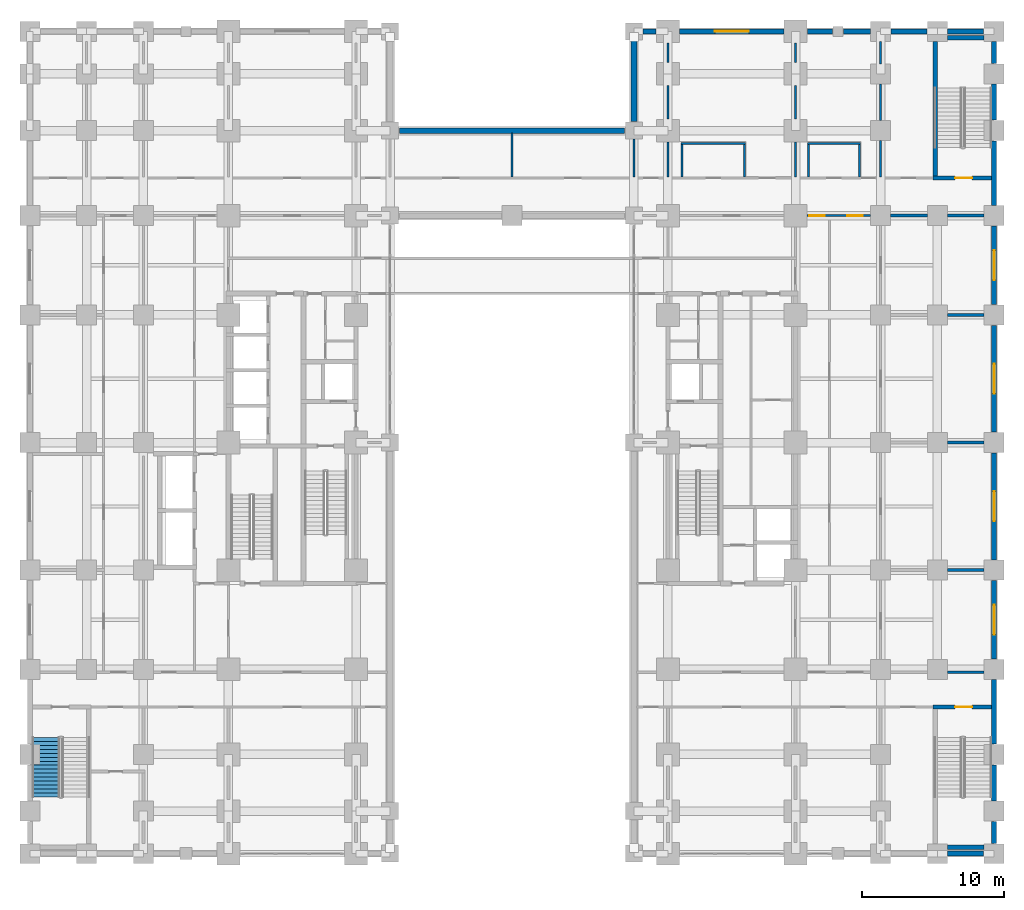
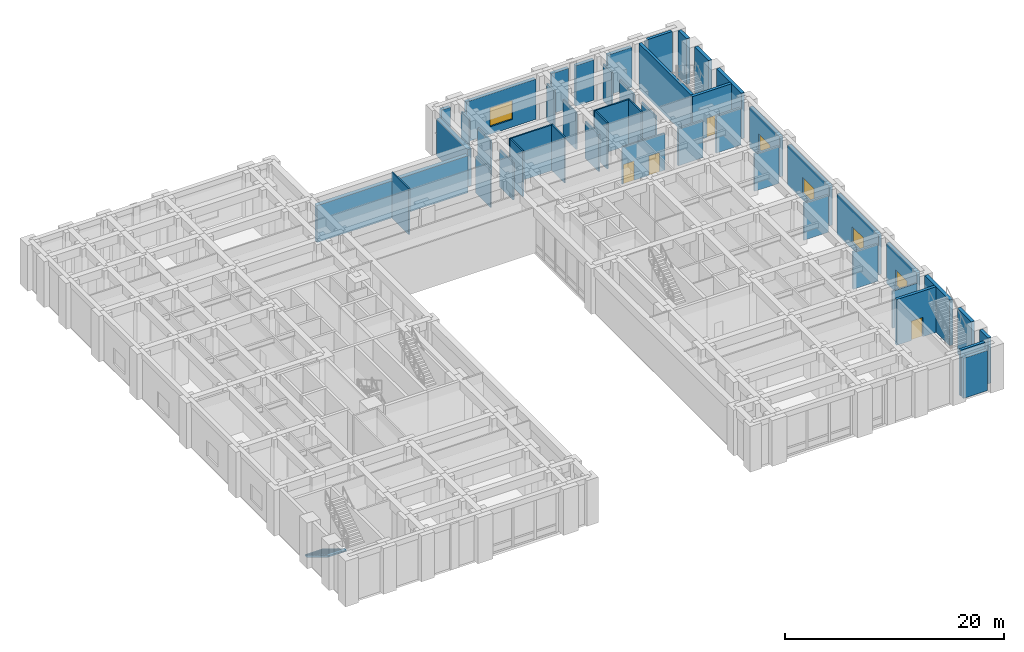
# One storey, part 14 of 21: 48 walls, 5 windows, 4 doors, 1 stair flight, 9 openings, 1 element without a shape of its own.
"""IFC4 building model written with IfcOpenShell, lengths in metres."""

import ifcopenshell
import ifcopenshell.guid

model = None  # the IFC model being written
_history = None  # IfcOwnerHistory: only IFC2X3 demands one
_inside = {}  # id of a spatial element -> (the spatial element, [elements in it])
_under = {}  # id of a project, library or spatial element -> (it, [spatial elements below it])
_declared = {}  # id of a project -> (the project, [libraries it declares])
_typed = {}  # id of a type object -> (the type object, [elements of that type])
_made_of = {}  # id of a material, layer set ... -> (it, [elements and type objects made of it])


def new_model(schema):
    """Start an empty IFC model of exactly this schema.

    Asked for "IFC4X3", IfcOpenShell would pick the latest addendum, in which some entities
    have other attributes; the version numbers below select the first issue.
    IFC2X3 requires an IfcOwnerHistory on every rooted entity: one is made here for all.
    """
    global model, _history
    if schema == "IFC4X3":
        model = ifcopenshell.file(schema_version=(4, 3, 0, 0))
    else:
        model = ifcopenshell.file(schema=schema)
    _inside.clear()
    _under.clear()
    _declared.clear()
    _typed.clear()
    _made_of.clear()
    _history = None
    if model.schema == "IFC2X3":
        org = make("IfcOrganization", Name="unknown")
        user = make(
            "IfcPersonAndOrganization",
            ThePerson=make("IfcPerson", FamilyName="unknown"),
            TheOrganization=org,
        )
        app = make(
            "IfcApplication",
            ApplicationDeveloper=org,
            Version="unknown",
            ApplicationFullName="unknown",
            ApplicationIdentifier="unknown",
        )
        _history = make(
            "IfcOwnerHistory",
            OwningUser=user,
            OwningApplication=app,
            ChangeAction="ADDED",
            CreationDate=0,
        )
    return model


def make(cls, **values):
    """One entity of the class cls with the attributes given. An attribute that is None is left unset."""
    return model.create_entity(
        cls, **{name: value for name, value in values.items() if value is not None}
    )


def rooted(cls, **values):
    """An entity with a GlobalId (a new one), such as an element, a storey or a relation."""
    return make(cls, GlobalId=ifcopenshell.guid.new(), OwnerHistory=_history, **values)


def si_unit(unit_type, name, prefix=None):
    """IfcSIUnit, for example si_unit("LENGTHUNIT", "METRE", prefix="MILLI")."""
    return make("IfcSIUnit", UnitType=unit_type, Prefix=prefix, Name=name)


def assignment(units):
    """IfcUnitAssignment: the units of a project."""
    return None if units is None else make("IfcUnitAssignment", Units=units)


def point(xyz):
    """IfcCartesianPoint."""
    return None if xyz is None else make("IfcCartesianPoint", Coordinates=xyz)


def direction(xyz):
    """IfcDirection."""
    return None if xyz is None else make("IfcDirection", DirectionRatios=xyz)


def frame(location, z_axis=None, x_axis=None):
    """IfcAxis2Placement3D, a coordinate frame: its origin and axes. An axis left out is left unset."""
    return make(
        "IfcAxis2Placement3D",
        Location=point(location),
        Axis=direction(z_axis),
        RefDirection=direction(x_axis),
    )


def frame_2d(location, x_axis=None):
    """IfcAxis2Placement2D, a coordinate frame in the plane: its origin and x axis."""
    return make(
        "IfcAxis2Placement2D", Location=point(location), RefDirection=direction(x_axis)
    )


def origin():
    """The frame at (0, 0, 0) with its axes left unset."""
    return frame((0.0, 0.0, 0.0))


def place(relative_to, where):
    """IfcLocalPlacement: puts the frame where relative to a parent placement (None: the world)."""
    return make(
        "IfcLocalPlacement", PlacementRelTo=relative_to, RelativePlacement=where
    )


def context(
    kind, dimensions, precision=None, world=None, true_north=None, identifier=None
):
    """IfcGeometricRepresentationContext, for example the 3D "Model" context."""
    return make(
        "IfcGeometricRepresentationContext",
        ContextIdentifier=identifier,
        ContextType=kind,
        CoordinateSpaceDimension=dimensions,
        Precision=precision,
        WorldCoordinateSystem=world,
        TrueNorth=true_north,
    )


def subcontext(parent, identifier, kind, view, scale=None):
    """IfcGeometricRepresentationSubContext, for example "Body" below "Model"."""
    return make(
        "IfcGeometricRepresentationSubContext",
        ContextIdentifier=identifier,
        ContextType=kind,
        ParentContext=parent,
        TargetScale=scale,
        TargetView=view,
    )


def project(units=None, contexts=None):
    """IfcProject with its units and contexts."""
    return rooted(
        "IfcProject",
        Name="project",
        RepresentationContexts=contexts,
        UnitsInContext=assignment(units),
    )


def spatial(cls, under=None, at=None, **own):
    """A site, building, storey or space (cls), placed at a placement, below another one or the project."""
    s = rooted(cls, ObjectPlacement=at, **own)
    if under is not None:
        _under.setdefault(under.id(), (under, []))[1].append(s)
    return s


def polyline(points):
    """IfcPolyline through the points."""
    return make("IfcPolyline", Points=[point(p) for p in points])


def profile(cls, at=None, kind="AREA", **sizes):
    """A parametric profile (cls). Its sizes go by their IFC names, for example OverallWidth=200.0."""
    return make(cls, ProfileType=kind, Position=at, **sizes)


def rectangle(**sizes):
    """IfcRectangleProfileDef."""
    return profile("IfcRectangleProfileDef", **sizes)


def outline(outer, holes=None, kind="AREA"):
    """IfcArbitraryClosedProfileDef: a profile drawn as a closed curve; with holes, ...WithVoids."""
    if holes is None:
        return make("IfcArbitraryClosedProfileDef", ProfileType=kind, OuterCurve=outer)
    return make(
        "IfcArbitraryProfileDefWithVoids",
        ProfileType=kind,
        OuterCurve=outer,
        InnerCurves=holes,
    )


def extrude(swept, where, along, depth):
    """IfcExtrudedAreaSolid: the profile swept, set in the frame where, extruded along a direction by depth."""
    return make(
        "IfcExtrudedAreaSolid",
        SweptArea=swept,
        Position=where,
        ExtrudedDirection=direction(along),
        Depth=depth,
    )


def shape(context_of_items, identifier, shape_type, items):
    """IfcShapeRepresentation: the items that make up one representation, for example the "Body"."""
    return make(
        "IfcShapeRepresentation",
        ContextOfItems=context_of_items,
        RepresentationIdentifier=identifier,
        RepresentationType=shape_type,
        Items=items,
    )


def material(Name=None, Category=None):
    """IfcMaterial."""
    return make("IfcMaterial", Name=Name, Category=Category)


def layer(
    of_material, thickness, ventilated=None, Name=None, Category=None, Priority=None
):
    """IfcMaterialLayer: one layer of a wall or slab, of a material (None: an air gap)."""
    return make(
        "IfcMaterialLayer",
        Material=of_material,
        LayerThickness=thickness,
        IsVentilated=ventilated,
        Name=Name,
        Category=Category,
        Priority=Priority,
    )


def layer_set(layers, Name=None):
    """IfcMaterialLayerSet."""
    return make("IfcMaterialLayerSet", MaterialLayers=layers, LayerSetName=Name)


def made_of(thing, what):
    """Note that an element or type object is made of a material, layer set ...; save() writes the relation."""
    if what is not None:
        _made_of.setdefault(what.id(), (what, []))[1].append(thing)
    return thing


def type_object(cls, material=None, **own):
    """A type object (cls), such as IfcWallType, which elements share."""
    return made_of(rooted(cls, **own), material)


def element(
    cls,
    number,
    at=None,
    inside=None,
    cuts=None,
    type_object=None,
    material=None,
    context=None,
    identifier="Body",
    shape_type=None,
    held_by="IfcProductDefinitionShape",
    body=None,
    shapes=None,
    **own,
):
    """One element of the class cls, such as IfcWall. Its Tag is "e" and its number.

    at: its placement. inside: the storey or other place that contains it. cuts: it is an
    opening in that element (IfcRelVoidsElement). A single representation is given by context,
    identifier, shape_type and body (its items); several are given by shapes. held_by: the class
    of the entity that holds the representations. save() writes the other relations.
    """
    e = rooted(cls, Tag="e%d" % number, ObjectPlacement=at, **own)
    if body is not None:
        shapes = [shape(context, identifier, shape_type, body)]
    if shapes is not None:
        e.Representation = make(held_by, Representations=shapes)
    if inside is not None:
        _inside.setdefault(inside.id(), (inside, []))[1].append(e)
    if cuts is not None:
        rooted(
            "IfcRelVoidsElement", RelatingBuildingElement=cuts, RelatedOpeningElement=e
        )
    if type_object is not None:
        _typed.setdefault(type_object.id(), (type_object, []))[1].append(e)
    return made_of(e, material)


def fill(opening, filler):
    """IfcRelFillsElement: the door or window that sits in an opening."""
    return rooted(
        "IfcRelFillsElement",
        RelatingOpeningElement=opening,
        RelatedBuildingElement=filler,
    )


def aggregate(whole, parts):
    """IfcRelAggregates: a whole, such as a stair, and the parts it consists of."""
    return rooted("IfcRelAggregates", RelatingObject=whole, RelatedObjects=parts)


def save(model, path):
    """Write the relations noted so far, then the file.

    IfcRelAggregates (storeys below a building ...), IfcRelContainedInSpatialStructure (elements
    in a storey), IfcRelDefinesByType, IfcRelAssociatesMaterial and IfcRelDeclares: one each for
    every whole, place, type object, material and project.
    """
    for whole, parts in _under.values():
        aggregate(whole, parts)
    for where, things in _inside.values():
        rooted(
            "IfcRelContainedInSpatialStructure",
            RelatedElements=things,
            RelatingStructure=where,
        )
    for kind, things in _typed.values():
        rooted("IfcRelDefinesByType", RelatedObjects=things, RelatingType=kind)
    for what, things in _made_of.values():
        rooted("IfcRelAssociatesMaterial", RelatedObjects=things, RelatingMaterial=what)
    for by, libraries in _declared.values():
        rooted("IfcRelDeclares", RelatingContext=by, RelatedDefinitions=libraries)
    model.write(path)


model = new_model("IFC4")

# Units and contexts
model_context = context("Model", 3, precision=1e-05, world=origin(), true_north=direction((0.0, 1.0)))
body_context = subcontext(model_context, "Body", "Model", "MODEL_VIEW")
ifc_project = project(units=[si_unit("LENGTHUNIT", "METRE"), si_unit("AREAUNIT", "SQUARE_METRE"), si_unit("VOLUMEUNIT", "CUBIC_METRE"), si_unit("PLANEANGLEUNIT", "RADIAN"), si_unit("MASSUNIT", "GRAM", prefix="KILO")], contexts=[model_context])

# Site, building, storey
site_placement = place(None, origin())
site = spatial("IfcSite", under=ifc_project, at=site_placement, CompositionType="ELEMENT")
building_placement = place(site_placement, origin())
building = spatial("IfcBuilding", under=site, at=building_placement, Name="Zulmaris Gate Convention Tower", CompositionType="ELEMENT")
storey_placement = place(building_placement, frame((0.0, 0.0, 5.43994140625)))
storey = spatial("IfcBuildingStorey", under=building, at=storey_placement, Name="L01", CompositionType="ELEMENT", Elevation=5.43994140625)

# Wall
ifc_material_1 = material(Name="Concrete C50/60", Category="concrete")
ifc_layer_1 = layer(ifc_material_1, 0.300048828125, Name="Concrete C50/60")
ifc_layer_set_1 = layer_set([ifc_layer_1], Name="Concrete C50/60")
wall_type_1 = type_object("IfcWallType", Name="CORE-300", PredefinedType="SHEAR", material=ifc_layer_set_1)
wall_1_placement = place(storey_placement, frame((30.7041015625, -28.550048828125, 0.0), z_axis=(0.0, 0.0, 1.0), x_axis=(1.0, 0.0, 0.0)))
element("IfcWall", 1, at=wall_1_placement, inside=storey, type_object=wall_type_1, Name="WL-L01-002", PredefinedType="SHEAR", context=body_context, shape_type="SweptSolid", body=[
    extrude(rectangle(XDim=2.591796875, YDim=0.300048828125, at=frame_2d((1.2958984375, 0.0))), origin(), (0.0, 0.0, 1.0), 5.08984375),
])

# Wall, opening, door
wall_2_placement = place(storey_placement, frame((29.699951171875, -18.64990234375, 0.0), z_axis=(0.0, 0.0, 1.0), x_axis=(1.0, 0.0, 0.0)))
wall_2 = element("IfcWall", 2, at=wall_2_placement, inside=storey, type_object=wall_type_1, Name="WL-L01-004", PredefinedType="SHEAR", context=body_context, shape_type="SweptSolid", body=[
    extrude(rectangle(XDim=4.135009765625, YDim=0.300048828125, at=frame_2d((2.0673828125, 0.0))), origin(), (0.0, 0.0, 1.0), 5.08984375),
])
opening_1_placement = place(wall_2_placement, frame((1.550048828125, 0.0, 0.0)))
opening_1 = element("IfcOpeningElement", 3, at=opening_1_placement, cuts=wall_2, Name="Opening D-13", PredefinedType="OPENING", context=body_context, shape_type="SweptSolid", body=[
    extrude(rectangle(XDim=1.199951171875, YDim=2.14990234375, at=frame_2d((0.60009765625, 1.074951171875))), frame((0.0, 0.16015625, 0.0), z_axis=(0.0, -1.0, 0.0), x_axis=(1.0, 0.0, 0.0)), (0.0, 0.0, 1.0), 0.320068359375),
])
ifc_material_2 = material(Name="Fire-Rated Steel", Category="steel")
door_type_1 = type_object("IfcDoorType", Name="DR-1200-FD", OperationType="NOTDEFINED", PredefinedType="DOOR", material=ifc_material_2)
door_1_placement = place(opening_1_placement, origin())
door_1 = element("IfcDoor", 4, at=door_1_placement, inside=storey, type_object=door_type_1, Name="L01 Exit Stair ST-6 Door 29", OperationType="SINGLE_SWING_LEFT", OverallHeight=2.14990234375, OverallWidth=1.199951171875, PredefinedType="DOOR", context=body_context, shape_type="SweptSolid", body=[
    extrude(rectangle(XDim=1.199951171875, YDim=2.14990234375, at=frame_2d((0.60009765625, 1.074951171875))), frame((0.0, 0.02490234375, 0.0), z_axis=(0.0, -1.0, 0.0), x_axis=(1.0, 0.0, 0.0)), (0.0, 0.0, 1.0), 0.050048828125),
])
fill(opening_1, door_1)

wall_3_placement = place(storey_placement, frame((29.699951171875, 18.64990234375, 0.0), z_axis=(0.0, 0.0, 1.0), x_axis=(1.0, 0.0, 0.0)))
wall_3 = element("IfcWall", 5, at=wall_3_placement, inside=storey, type_object=wall_type_1, Name="WL-L01-027", PredefinedType="SHEAR", context=body_context, shape_type="SweptSolid", body=[
    extrude(rectangle(XDim=4.135009765625, YDim=0.300048828125, at=frame_2d((2.0673828125, 0.0))), origin(), (0.0, 0.0, 1.0), 5.08984375),
])
opening_2_placement = place(wall_3_placement, frame((1.550048828125, 0.0, 0.0)))
opening_2 = element("IfcOpeningElement", 6, at=opening_2_placement, cuts=wall_3, Name="Opening D-13", PredefinedType="OPENING", context=body_context, shape_type="SweptSolid", body=[
    extrude(rectangle(XDim=1.199951171875, YDim=2.14990234375, at=frame_2d((0.60009765625, 1.074951171875))), frame((0.0, 0.16015625, 0.0), z_axis=(0.0, -1.0, 0.0), x_axis=(1.0, 0.0, 0.0)), (0.0, 0.0, 1.0), 0.320068359375),
])
door_2_placement = place(opening_2_placement, origin())
door_2 = element("IfcDoor", 7, at=door_2_placement, inside=storey, type_object=door_type_1, Name="L01 Exit Stair ST-5 Door 28", OperationType="SINGLE_SWING_RIGHT", OverallHeight=2.14990234375, OverallWidth=1.199951171875, PredefinedType="DOOR", context=body_context, shape_type="SweptSolid", body=[
    extrude(rectangle(XDim=1.199951171875, YDim=2.14990234375, at=frame_2d((0.60009765625, 1.074951171875))), frame((0.0, 0.02490234375, 0.0), z_axis=(0.0, -1.0, 0.0), x_axis=(1.0, 0.0, 0.0)), (0.0, 0.0, 1.0), 0.050048828125),
])
fill(opening_2, door_2)

# Walls
wall_4_placement = place(storey_placement, frame((30.7041015625, 28.550048828125, 0.0), z_axis=(0.0, 0.0, 1.0), x_axis=(1.0, 0.0, 0.0)))
element("IfcWall", 8, at=wall_4_placement, inside=storey, type_object=wall_type_1, Name="WL-L01-028", PredefinedType="SHEAR", context=body_context, shape_type="SweptSolid", body=[
    extrude(rectangle(XDim=2.591796875, YDim=0.300048828125, at=frame_2d((1.2958984375, 0.0))), origin(), (0.0, 0.0, 1.0), 5.08984375),
])
wall_5_placement = place(storey_placement, frame((29.85009765625, 18.802001953125, 0.0), z_axis=(0.0, 0.0, 1.0), x_axis=(0.0, 1.0, 0.0)))
element("IfcWall", 9, at=wall_5_placement, inside=storey, type_object=wall_type_1, Name="WL-L01-109", PredefinedType="SHEAR", context=body_context, shape_type="SweptSolid", body=[
    extrude(rectangle(XDim=9.493896484375, YDim=0.300048828125, at=frame_2d((4.7470703125, 0.0))), origin(), (0.0, 0.0, 1.0), 5.08984375),
])
ifc_material_3 = material(Name="Gypsum Metal Stud Partition")
ifc_layer_2 = layer(ifc_material_3, 0.14990234375, Name="Gypsum Metal Stud Partition")
ifc_layer_set_2 = layer_set([ifc_layer_2], Name="Gypsum Metal Stud Partition")
wall_type_2 = type_object("IfcWallType", Name="PART-150", PredefinedType="PARTITIONING", material=ifc_layer_set_2)
wall_6_placement = place(storey_placement, frame((30.7060546875, -16.199951171875, 0.0), z_axis=(0.0, 0.0, 1.0), x_axis=(1.0, 0.0, 0.0)))
element("IfcWall", 10, at=wall_6_placement, inside=storey, type_object=wall_type_2, Name="WL-L01-033S4", PredefinedType="PARTITIONING", context=body_context, shape_type="SweptSolid", body=[
    extrude(rectangle(XDim=2.587890625, YDim=0.14990234375, at=frame_2d((1.2939453125, 0.0))), origin(), (0.0, 0.0, 1.0), 4.132080078125),
])

# Wall, openings, doors
wall_7_placement = place(storey_placement, frame((20.805908203125, 16.0, 0.0), z_axis=(0.0, 0.0, 1.0), x_axis=(1.0, 0.0, 0.0)))
wall_7 = element("IfcWall", 11, at=wall_7_placement, inside=storey, type_object=wall_type_2, Name="WL-L01-063", PredefinedType="PARTITIONING", context=body_context, shape_type="SweptSolid", body=[
    extrude(rectangle(XDim=4.488037109375, YDim=0.14990234375, at=frame_2d((2.244140625, 0.0))), origin(), (0.0, 0.0, 1.0), 4.132080078125),
])
opening_3_placement = place(wall_7_placement, frame((0.14990234375, 0.0, 0.0)))
opening_3 = element("IfcOpeningElement", 12, at=opening_3_placement, cuts=wall_7, Name="Opening D-08", PredefinedType="OPENING", context=body_context, shape_type="SweptSolid", body=[
    extrude(rectangle(XDim=1.10009765625, YDim=2.14990234375, at=frame_2d((0.550048828125, 1.074951171875))), frame((0.0, 0.0849609375, 0.0), z_axis=(0.0, -1.0, 0.0), x_axis=(1.0, 0.0, 0.0)), (0.0, 0.0, 1.0), 0.169921875),
])
opening_4_placement = place(wall_7_placement, frame((2.843994140625, 0.0, 0.0)))
opening_4 = element("IfcOpeningElement", 13, at=opening_4_placement, cuts=wall_7, Name="Opening D-08", PredefinedType="OPENING", context=body_context, shape_type="SweptSolid", body=[
    extrude(rectangle(XDim=1.10009765625, YDim=2.14990234375, at=frame_2d((0.550048828125, 1.074951171875))), frame((0.0, 0.0849609375, 0.0), z_axis=(0.0, -1.0, 0.0), x_axis=(1.0, 0.0, 0.0)), (0.0, 0.0, 1.0), 0.169921875),
])
door_type_2 = type_object("IfcDoorType", Name="DR-1100-FD", OperationType="NOTDEFINED", PredefinedType="DOOR", material=ifc_material_2)
door_3_placement = place(opening_3_placement, origin())
door_3 = element("IfcDoor", 14, at=door_3_placement, inside=storey, type_object=door_type_2, Name="L01 East Concourse Link Door 39", OperationType="SINGLE_SWING_LEFT", OverallHeight=2.14990234375, OverallWidth=1.10009765625, PredefinedType="DOOR", context=body_context, shape_type="SweptSolid", body=[
    extrude(rectangle(XDim=1.10009765625, YDim=2.14990234375, at=frame_2d((0.550048828125, 1.074951171875))), frame((0.0, 0.02490234375, 0.0), z_axis=(0.0, -1.0, 0.0), x_axis=(1.0, 0.0, 0.0)), (0.0, 0.0, 1.0), 0.050048828125),
])
fill(opening_3, door_3)
door_4_placement = place(opening_4_placement, origin())
door_4 = element("IfcDoor", 15, at=door_4_placement, inside=storey, type_object=door_type_2, Name="L01 East Promenade Concourse Door 73", OperationType="SINGLE_SWING_LEFT", OverallHeight=2.14990234375, OverallWidth=1.10009765625, PredefinedType="DOOR", context=body_context, shape_type="SweptSolid", body=[
    extrude(rectangle(XDim=1.10009765625, YDim=2.14990234375, at=frame_2d((0.550048828125, 1.074951171875))), frame((0.0, 0.02490234375, 0.0), z_axis=(0.0, -1.0, 0.0), x_axis=(1.0, 0.0, 0.0)), (0.0, 0.0, 1.0), 0.050048828125),
])
fill(opening_4, door_4)

# Walls
wall_8_placement = place(storey_placement, frame((11.925048828125, 21.10009765625, 0.0), z_axis=(0.0, 0.0, 1.0), x_axis=(1.0, 0.0, 0.0)))
element("IfcWall", 16, at=wall_8_placement, inside=storey, type_object=wall_type_2, Name="WL-L01-066", PredefinedType="PARTITIONING", context=body_context, shape_type="SweptSolid", body=[
    extrude(rectangle(XDim=4.550048828125, YDim=0.14990234375, at=frame_2d((2.27490234375, 0.0))), origin(), (0.0, 0.0, 1.0), 5.08984375),
])
wall_9_placement = place(storey_placement, frame((20.824951171875, 21.10009765625, 0.0), z_axis=(0.0, 0.0, 1.0), x_axis=(1.0, 0.0, 0.0)))
element("IfcWall", 17, at=wall_9_placement, inside=storey, type_object=wall_type_2, Name="WL-L01-067", PredefinedType="PARTITIONING", context=body_context, shape_type="SweptSolid", body=[
    extrude(rectangle(XDim=3.75, YDim=0.14990234375, at=frame_2d((1.875, 0.0))), origin(), (0.0, 0.0, 1.0), 5.08984375),
])
wall_10_placement = place(storey_placement, frame((0.0, 18.72802734375, 0.0), z_axis=(0.0, 0.0, 1.0), x_axis=(0.0, 1.0, 0.0)))
element("IfcWall", 18, at=wall_10_placement, inside=storey, type_object=wall_type_2, Name="WL-L01-135", PredefinedType="PARTITIONING", context=body_context, shape_type="SweptSolid", body=[
    extrude(rectangle(XDim=3.10693359375, YDim=0.14990234375, at=frame_2d((1.553466796875, 0.0))), origin(), (0.0, 0.0, 1.0), 5.08984375),
])
wall_11_placement = place(storey_placement, frame((8.60009765625, 18.72802734375, 0.0), z_axis=(0.0, 0.0, 1.0), x_axis=(0.0, 1.0, 0.0)))
element("IfcWall", 19, at=wall_11_placement, inside=storey, type_object=wall_type_2, Name="WL-L01-136", PredefinedType="PARTITIONING", context=body_context, shape_type="SweptSolid", body=[
    extrude(rectangle(XDim=2.666015625, YDim=0.14990234375, at=frame_2d((1.3330078125, 0.0))), origin(), (0.0, 0.0, 1.0), 4.132080078125),
])
wall_12_placement = place(storey_placement, frame((11.0, 18.72802734375, 0.0), z_axis=(0.0, 0.0, 1.0), x_axis=(0.0, 1.0, 0.0)))
element("IfcWall", 20, at=wall_12_placement, inside=storey, type_object=wall_type_2, Name="WL-L01-139", PredefinedType="PARTITIONING", context=body_context, shape_type="SweptSolid", body=[
    extrude(rectangle(XDim=2.466064453125, YDim=0.14990234375, at=frame_2d((1.23291015625, 0.0))), origin(), (0.0, 0.0, 1.0), 4.132080078125),
])
wall_13_placement = place(storey_placement, frame((11.0, 22.805908203125, 0.0), z_axis=(0.0, 0.0, 1.0), x_axis=(0.0, 1.0, 0.0)))
element("IfcWall", 21, at=wall_13_placement, inside=storey, type_object=wall_type_2, Name="WL-L01-139S1", PredefinedType="PARTITIONING", context=body_context, shape_type="SweptSolid", body=[
    extrude(rectangle(XDim=2.38818359375, YDim=0.14990234375, at=frame_2d((1.194091796875, 0.0))), origin(), (0.0, 0.0, 1.0), 4.132080078125),
])
wall_14_placement = place(storey_placement, frame((11.0, 26.805908203125, 0.0), z_axis=(0.0, 0.0, 1.0), x_axis=(0.0, 1.0, 0.0)))
element("IfcWall", 22, at=wall_14_placement, inside=storey, type_object=wall_type_2, Name="WL-L01-139S2", PredefinedType="PARTITIONING", context=body_context, shape_type="SweptSolid", body=[
    extrude(rectangle(XDim=1.38818359375, YDim=0.14990234375, at=frame_2d((0.694091796875, 0.0))), origin(), (0.0, 0.0, 1.0), 4.132080078125),
])
for number, where, z_axis, x_axis, name in (
    (23, (12.0, 18.72802734375, 0.0), (0.0, 0.0, 1.0), (0.0, 1.0, 0.0), "WL-L01-140"),
    (24, (16.39990234375, 18.72802734375, 0.0), (0.0, 0.0, 1.0), (0.0, 1.0, 0.0), "WL-L01-143"),
):
    element("IfcWall", number, at=place(storey_placement, frame(where, z_axis=z_axis, x_axis=x_axis)), inside=storey, type_object=wall_type_2, Name=name, PredefinedType="PARTITIONING", context=body_context, shape_type="SweptSolid", body=[
        extrude(rectangle(XDim=2.2939453125, YDim=0.14990234375, at=frame_2d((1.14697265625, 0.0))), origin(), (0.0, 0.0, 1.0), 5.08984375),
    ])
wall_15_placement = place(storey_placement, frame((20.0, 18.72802734375, 0.0), z_axis=(0.0, 0.0, 1.0), x_axis=(0.0, 1.0, 0.0)))
element("IfcWall", 25, at=wall_15_placement, inside=storey, type_object=wall_type_2, Name="WL-L01-150", PredefinedType="PARTITIONING", context=body_context, shape_type="SweptSolid", body=[
    extrude(rectangle(XDim=2.466064453125, YDim=0.14990234375, at=frame_2d((1.23291015625, 0.0))), origin(), (0.0, 0.0, 1.0), 4.132080078125),
])
wall_16_placement = place(storey_placement, frame((20.0, 22.805908203125, 0.0), z_axis=(0.0, 0.0, 1.0), x_axis=(0.0, 1.0, 0.0)))
element("IfcWall", 26, at=wall_16_placement, inside=storey, type_object=wall_type_2, Name="WL-L01-150S1", PredefinedType="PARTITIONING", context=body_context, shape_type="SweptSolid", body=[
    extrude(rectangle(XDim=2.38818359375, YDim=0.14990234375, at=frame_2d((1.194091796875, 0.0))), origin(), (0.0, 0.0, 1.0), 4.132080078125),
])
wall_17_placement = place(storey_placement, frame((20.0, 26.805908203125, 0.0), z_axis=(0.0, 0.0, 1.0), x_axis=(0.0, 1.0, 0.0)))
element("IfcWall", 27, at=wall_17_placement, inside=storey, type_object=wall_type_2, Name="WL-L01-150S2", PredefinedType="PARTITIONING", context=body_context, shape_type="SweptSolid", body=[
    extrude(rectangle(XDim=1.38818359375, YDim=0.14990234375, at=frame_2d((0.694091796875, 0.0))), origin(), (0.0, 0.0, 1.0), 4.132080078125),
])
for number, where, z_axis, x_axis, name in (
    (28, (20.89990234375, 18.72802734375, 0.0), (0.0, 0.0, 1.0), (0.0, 1.0, 0.0), "WL-L01-151"),
    (29, (24.5, 18.72802734375, 0.0), (0.0, 0.0, 1.0), (0.0, 1.0, 0.0), "WL-L01-153"),
):
    element("IfcWall", number, at=place(storey_placement, frame(where, z_axis=z_axis, x_axis=x_axis)), inside=storey, type_object=wall_type_2, Name=name, PredefinedType="PARTITIONING", context=body_context, shape_type="SweptSolid", body=[
        extrude(rectangle(XDim=2.2939453125, YDim=0.14990234375, at=frame_2d((1.14697265625, 0.0))), origin(), (0.0, 0.0, 1.0), 5.08984375),
    ])
wall_18_placement = place(storey_placement, frame((26.0, 18.72802734375, 0.0), z_axis=(0.0, 0.0, 1.0), x_axis=(0.0, 1.0, 0.0)))
element("IfcWall", 30, at=wall_18_placement, inside=storey, type_object=wall_type_2, Name="WL-L01-159", PredefinedType="PARTITIONING", context=body_context, shape_type="SweptSolid", body=[
    extrude(rectangle(XDim=2.56591796875, YDim=0.14990234375, at=frame_2d((1.282958984375, 0.0))), origin(), (0.0, 0.0, 1.0), 4.132080078125),
])
wall_19_placement = place(storey_placement, frame((26.0, 22.7060546875, 0.0), z_axis=(0.0, 0.0, 1.0), x_axis=(0.0, 1.0, 0.0)))
element("IfcWall", 31, at=wall_19_placement, inside=storey, type_object=wall_type_2, Name="WL-L01-159S1", PredefinedType="PARTITIONING", context=body_context, shape_type="SweptSolid", body=[
    extrude(rectangle(XDim=2.587890625, YDim=0.14990234375, at=frame_2d((1.2939453125, 0.0))), origin(), (0.0, 0.0, 1.0), 4.132080078125),
])
wall_20_placement = place(storey_placement, frame((26.0, 26.7060546875, 0.0), z_axis=(0.0, 0.0, 1.0), x_axis=(0.0, 1.0, 0.0)))
element("IfcWall", 32, at=wall_20_placement, inside=storey, type_object=wall_type_2, Name="WL-L01-159S2", PredefinedType="PARTITIONING", context=body_context, shape_type="SweptSolid", body=[
    extrude(rectangle(XDim=1.587890625, YDim=0.14990234375, at=frame_2d((0.7939453125, 0.0))), origin(), (0.0, 0.0, 1.0), 4.132080078125),
])
ifc_material_4 = material(Name="Autoclaved Aerated Concrete Block and Plasterboard", Category="concrete")
ifc_layer_3 = layer(ifc_material_4, 0.199951171875, Name="Autoclaved Aerated Concrete Block and Plasterboard")
ifc_layer_set_3 = layer_set([ifc_layer_3], Name="Autoclaved Aerated Concrete Block and Plasterboard")
wall_type_3 = type_object("IfcWallType", Name="PART-200", PredefinedType="PARTITIONING", material=ifc_layer_set_3)
for number, where, z_axis, x_axis, name in (
    (33, (30.7060546875, -9.0, 0.0), (0.0, 0.0, 1.0), (1.0, 0.0, 0.0), "WL-L01-038S1"),
    (34, (30.7060546875, 0.0, 0.0), (0.0, 0.0, 1.0), (1.0, 0.0, 0.0), "WL-L01-045S1"),
    (35, (30.7060546875, 9.0, 0.0), (0.0, 0.0, 1.0), (1.0, 0.0, 0.0), "WL-L01-050S1"),
    (36, (26.7060546875, 16.0, 0.0), (0.0, 0.0, 1.0), (1.0, 0.0, 0.0), "WL-L01-064"),
    (37, (30.7060546875, 16.0, 0.0), (0.0, 0.0, 1.0), (1.0, 0.0, 0.0), "WL-L01-064S1"),
):
    element("IfcWall", number, at=place(storey_placement, frame(where, z_axis=z_axis, x_axis=x_axis)), inside=storey, type_object=wall_type_3, Name=name, PredefinedType="PARTITIONING", context=body_context, shape_type="SweptSolid", body=[
        extrude(rectangle(XDim=2.587890625, YDim=0.199951171875, at=frame_2d((1.2939453125, 0.0))), origin(), (0.0, 0.0, 1.0), 4.132080078125),
    ])
ifc_material_5 = material(Name="Precast concrete C50/60", Category="concrete")
ifc_layer_4 = layer(ifc_material_5, 0.39990234375, Name="Precast concrete C50/60")
ifc_layer_set_4 = layer_set([ifc_layer_4], Name="Precast concrete C50/60")
wall_type_4 = type_object("IfcWallType", Name="PRECAST-ARCH-400", PredefinedType="STANDARD", material=ifc_layer_set_4)
wall_21_placement = place(storey_placement, frame((8.60009765625, 28.35009765625, 0.0), z_axis=(0.0, 0.0, 1.0), x_axis=(0.0, -1.0, 0.0)))
element("IfcWall", 38, at=wall_21_placement, inside=storey, type_object=wall_type_4, Name="EW-L01-ARCH-NES_0", PredefinedType="STANDARD", context=body_context, shape_type="SweptSolid", body=[
    extrude(rectangle(XDim=5.72021484375, YDim=0.39990234375, at=frame_2d((2.860107421875, 0.0))), origin(), (0.0, 0.0, 1.0), 4.132080078125),
])
wall_22_placement = place(storey_placement, frame((7.949951171875, 22.0, 0.0), z_axis=(0.0, 0.0, 1.0), x_axis=(-1.0, 0.0, 0.0)))
element("IfcWall", 39, at=wall_22_placement, inside=storey, type_object=wall_type_4, Name="EW-L01-ARCH-NH_0", PredefinedType="STANDARD", context=body_context, shape_type="SweptSolid", body=[
    extrude(rectangle(XDim=15.89990234375, YDim=0.39990234375, at=frame_2d((7.949951171875, 0.0))), origin(), (0.0, 0.0, 1.0), 4.132080078125),
])
ifc_material_6 = material(Name="Precast concrete C45/55", Category="concrete")
ifc_layer_5 = layer(ifc_material_6, 0.35009765625, Name="Precast concrete C45/55")
ifc_layer_set_5 = layer_set([ifc_layer_5], Name="Precast concrete C45/55")
wall_type_5 = type_object("IfcWallType", Name="PRECAST-POD-350", PredefinedType="STANDARD", material=ifc_layer_set_5)
wall_23_placement = place(storey_placement, frame((30.72998046875, -29.0, 0.0), z_axis=(0.0, 0.0, 1.0), x_axis=(1.0, 0.0, 0.0)))
element("IfcWall", 40, at=wall_23_placement, inside=storey, type_object=wall_type_5, Name="EW-L01-S-300_0", PredefinedType="STANDARD", context=body_context, shape_type="SweptSolid", body=[
    extrude(rectangle(XDim=2.5400390625, YDim=0.35009765625, at=frame_2d((1.27001953125, 0.0))), origin(), (0.0, 0.0, 1.0), 4.48193359375),
])
wall_24_placement = place(storey_placement, frame((10.169921875, 29.0, 0.0), z_axis=(0.0, 0.0, 1.0), x_axis=(-1.0, 0.0, 0.0)))
element("IfcWall", 41, at=wall_24_placement, inside=storey, type_object=wall_type_5, Name="EW-L01-N-86_0", PredefinedType="STANDARD", context=body_context, shape_type="SweptSolid", body=[
    extrude(rectangle(XDim=0.93994140625, YDim=0.35009765625, at=frame_2d((0.469970703125, 0.0))), origin(), (0.0, 0.0, 1.0), 4.48193359375),
])

# Wall, opening, window
wall_25_placement = place(storey_placement, frame((19.169921875, 29.0, 0.0), z_axis=(0.0, 0.0, 1.0), x_axis=(-1.0, 0.0, 0.0)))
wall_25 = element("IfcWall", 42, at=wall_25_placement, inside=storey, type_object=wall_type_5, Name="EW-L01-N-110_0", PredefinedType="STANDARD", context=body_context, shape_type="SweptSolid", body=[
    extrude(rectangle(XDim=7.33984375, YDim=0.35009765625, at=frame_2d((3.669921875, 0.0))), origin(), (0.0, 0.0, 1.0), 4.48193359375),
])
opening_5_placement = place(wall_25_placement, frame((2.469970703125, 0.0, 0.85009765625)))
opening_5 = element("IfcOpeningElement", 43, at=opening_5_placement, cuts=wall_25, Name="Opening W-01", PredefinedType="OPENING", context=body_context, shape_type="SweptSolid", body=[
    extrude(rectangle(XDim=2.39990234375, YDim=2.10009765625, at=frame_2d((1.199951171875, 1.050048828125))), frame((0.0, 0.18505859375, 0.0), z_axis=(0.0, -1.0, 0.0), x_axis=(1.0, 0.0, 0.0)), (0.0, 0.0, 1.0), 0.3701171875),
])
ifc_material_7 = material(Name="Low-E Laminated Double Glazing in Aluminium Frame", Category="aluminium")
window_type_1 = type_object("IfcWindowType", Name="WIN-2400x2200", PartitioningType="SINGLE_PANEL", PredefinedType="WINDOW", material=ifc_material_7)
window_1_placement = place(opening_5_placement, origin())
window_1 = element("IfcWindow", 44, at=window_1_placement, inside=storey, type_object=window_type_1, Name="WN-EW-L01-N-110_0", OverallHeight=2.10009765625, OverallWidth=2.39990234375, PartitioningType="SINGLE_PANEL", PredefinedType="WINDOW", context=body_context, shape_type="SweptSolid", body=[
    extrude(rectangle(XDim=2.39990234375, YDim=2.10009765625, at=frame_2d((1.199951171875, 1.050048828125))), frame((0.0, 0.030029296875, 0.0), z_axis=(0.0, -1.0, 0.0), x_axis=(1.0, 0.0, 0.0)), (0.0, 0.0, 1.0), 0.06005859375),
])
fill(opening_5, window_1)

# Walls
wall_26_placement = place(storey_placement, frame((22.6201171875, 29.0, 0.0), z_axis=(0.0, 0.0, 1.0), x_axis=(-1.0, 0.0, 0.0)))
element("IfcWall", 45, at=wall_26_placement, inside=storey, type_object=wall_type_5, Name="EW-L01-N-200_0", PredefinedType="STANDARD", context=body_context, shape_type="SweptSolid", body=[
    extrude(rectangle(XDim=1.7900390625, YDim=0.35009765625, at=frame_2d((0.89501953125, 0.0))), origin(), (0.0, 0.0, 1.0), 4.48193359375),
])
wall_27_placement = place(storey_placement, frame((25.27001953125, 29.0, 0.0), z_axis=(0.0, 0.0, 1.0), x_axis=(-1.0, 0.0, 0.0)))
element("IfcWall", 46, at=wall_27_placement, inside=storey, type_object=wall_type_5, Name="EW-L01-N-230_0", PredefinedType="STANDARD", context=body_context, shape_type="SweptSolid", body=[
    extrude(rectangle(XDim=1.89013671875, YDim=0.35009765625, at=frame_2d((0.945068359375, 0.0))), origin(), (0.0, 0.0, 1.0), 4.48193359375),
])
for number, where, z_axis, x_axis, name in (
    (47, (29.27001953125, 29.0, 0.0), (0.0, 0.0, 1.0), (-1.0, 0.0, 0.0), "EW-L01-N-260_0"),
    (48, (33.27001953125, 29.0, 0.0), (0.0, 0.0, 1.0), (-1.0, 0.0, 0.0), "EW-L01-N-300_0"),
):
    element("IfcWall", number, at=place(storey_placement, frame(where, z_axis=z_axis, x_axis=x_axis)), inside=storey, type_object=wall_type_5, Name=name, PredefinedType="STANDARD", context=body_context, shape_type="SweptSolid", body=[
        extrude(rectangle(XDim=2.5400390625, YDim=0.35009765625, at=frame_2d((1.27001953125, 0.0))), origin(), (0.0, 0.0, 1.0), 4.48193359375),
    ])
wall_28_placement = place(storey_placement, frame((34.0, -26.72998046875, 0.0), z_axis=(0.0, 0.0, 1.0), x_axis=(0.0, -1.0, 0.0)))
element("IfcWall", 49, at=wall_28_placement, inside=storey, type_object=wall_type_5, Name="EW-L01-E--29_0", PredefinedType="STANDARD", context=body_context, shape_type="SweptSolid", body=[
    extrude(rectangle(XDim=1.5400390625, YDim=0.35009765625, at=frame_2d((0.77001953125, 0.0))), origin(), (0.0, 0.0, 1.0), 5.08984375),
])
wall_29_placement = place(storey_placement, frame((34.0, -22.72998046875, 0.0), z_axis=(0.0, 0.0, 1.0), x_axis=(0.0, -1.0, 0.0)))
element("IfcWall", 50, at=wall_29_placement, inside=storey, type_object=wall_type_5, Name="EW-L01-E--26_0", PredefinedType="STANDARD", context=body_context, shape_type="SweptSolid", body=[
    extrude(rectangle(XDim=2.5400390625, YDim=0.35009765625, at=frame_2d((1.27001953125, 0.0))), origin(), (0.0, 0.0, 1.0), 5.08984375),
])
wall_30_placement = place(storey_placement, frame((34.0, -16.72998046875, 0.0), z_axis=(0.0, 0.0, 1.0), x_axis=(0.0, -1.0, 0.0)))
element("IfcWall", 51, at=wall_30_placement, inside=storey, type_object=wall_type_5, Name="EW-L01-E--22_0", PredefinedType="STANDARD", context=body_context, shape_type="SweptSolid", body=[
    extrude(rectangle(XDim=4.5400390625, YDim=0.35009765625, at=frame_2d((2.27001953125, 0.0))), origin(), (0.0, 0.0, 1.0), 5.08984375),
])

# Wall, opening, window
wall_31_placement = place(storey_placement, frame((34.0, -9.72998046875, 0.0), z_axis=(0.0, 0.0, 1.0), x_axis=(0.0, -1.0, 0.0)))
wall_31 = element("IfcWall", 52, at=wall_31_placement, inside=storey, type_object=wall_type_5, Name="EW-L01-E--16_0", PredefinedType="STANDARD", context=body_context, shape_type="SweptSolid", body=[
    extrude(rectangle(XDim=5.5400390625, YDim=0.35009765625, at=frame_2d((2.77001953125, 0.0))), origin(), (0.0, 0.0, 1.0), 4.48193359375),
])
opening_6_placement = place(wall_31_placement, frame((1.719970703125, 0.0, 0.75)))
opening_6 = element("IfcOpeningElement", 53, at=opening_6_placement, cuts=wall_31, Name="Opening W-05", PredefinedType="OPENING", context=body_context, shape_type="SweptSolid", body=[
    extrude(rectangle(XDim=2.10009765625, YDim=1.75, at=frame_2d((1.050048828125, 0.875))), frame((0.0, 0.18505859375, 0.0), z_axis=(0.0, -1.0, 0.0), x_axis=(1.0, 0.0, 0.0)), (0.0, 0.0, 1.0), 0.3701171875),
])
window_type_2 = type_object("IfcWindowType", Name="WIN-2100x2400", PartitioningType="SINGLE_PANEL", PredefinedType="WINDOW", material=ifc_material_7)
window_2_placement = place(opening_6_placement, origin())
window_2 = element("IfcWindow", 54, at=window_2_placement, inside=storey, type_object=window_type_2, Name="WN-EW-L01-E--16_0", OverallHeight=1.75, OverallWidth=2.10009765625, PartitioningType="SINGLE_PANEL", PredefinedType="WINDOW", context=body_context, shape_type="SweptSolid", body=[
    extrude(rectangle(XDim=2.10009765625, YDim=1.75, at=frame_2d((1.050048828125, 0.875))), frame((0.0, 0.030029296875, 0.0), z_axis=(0.0, -1.0, 0.0), x_axis=(1.0, 0.0, 0.0)), (0.0, 0.0, 1.0), 0.06005859375),
])
fill(opening_6, window_2)

wall_32_placement = place(storey_placement, frame((34.0, -0.72998046875, 0.0), z_axis=(0.0, 0.0, 1.0), x_axis=(0.0, -1.0, 0.0)))
wall_32 = element("IfcWall", 55, at=wall_32_placement, inside=storey, type_object=wall_type_5, Name="EW-L01-E--9_0", PredefinedType="STANDARD", context=body_context, shape_type="SweptSolid", body=[
    extrude(rectangle(XDim=7.5400390625, YDim=0.35009765625, at=frame_2d((3.77001953125, 0.0))), origin(), (0.0, 0.0, 1.0), 4.48193359375),
])
opening_7_placement = place(wall_32_placement, frame((2.719970703125, 0.0, 0.75)))
opening_7 = element("IfcOpeningElement", 56, at=opening_7_placement, cuts=wall_32, Name="Opening W-05", PredefinedType="OPENING", context=body_context, shape_type="SweptSolid", body=[
    extrude(rectangle(XDim=2.10009765625, YDim=1.75, at=frame_2d((1.050048828125, 0.875))), frame((0.0, 0.18505859375, 0.0), z_axis=(0.0, -1.0, 0.0), x_axis=(1.0, 0.0, 0.0)), (0.0, 0.0, 1.0), 0.3701171875),
])
window_3_placement = place(opening_7_placement, origin())
window_3 = element("IfcWindow", 57, at=window_3_placement, inside=storey, type_object=window_type_2, Name="WN-EW-L01-E--9_0", OverallHeight=1.75, OverallWidth=2.10009765625, PartitioningType="SINGLE_PANEL", PredefinedType="WINDOW", context=body_context, shape_type="SweptSolid", body=[
    extrude(rectangle(XDim=2.10009765625, YDim=1.75, at=frame_2d((1.050048828125, 0.875))), frame((0.0, 0.030029296875, 0.0), z_axis=(0.0, -1.0, 0.0), x_axis=(1.0, 0.0, 0.0)), (0.0, 0.0, 1.0), 0.06005859375),
])
fill(opening_7, window_3)

wall_33_placement = place(storey_placement, frame((34.0, 8.27001953125, 0.0), z_axis=(0.0, 0.0, 1.0), x_axis=(0.0, -1.0, 0.0)))
wall_33 = element("IfcWall", 58, at=wall_33_placement, inside=storey, type_object=wall_type_5, Name="EW-L01-E-0_0", PredefinedType="STANDARD", context=body_context, shape_type="SweptSolid", body=[
    extrude(rectangle(XDim=7.5400390625, YDim=0.35009765625, at=frame_2d((3.77001953125, 0.0))), origin(), (0.0, 0.0, 1.0), 4.48193359375),
])
opening_8_placement = place(wall_33_placement, frame((2.719970703125, 0.0, 0.75)))
opening_8 = element("IfcOpeningElement", 59, at=opening_8_placement, cuts=wall_33, Name="Opening W-05", PredefinedType="OPENING", context=body_context, shape_type="SweptSolid", body=[
    extrude(rectangle(XDim=2.10009765625, YDim=1.75, at=frame_2d((1.050048828125, 0.875))), frame((0.0, 0.18505859375, 0.0), z_axis=(0.0, -1.0, 0.0), x_axis=(1.0, 0.0, 0.0)), (0.0, 0.0, 1.0), 0.3701171875),
])
window_4_placement = place(opening_8_placement, origin())
window_4 = element("IfcWindow", 60, at=window_4_placement, inside=storey, type_object=window_type_2, Name="WN-EW-L01-E-0_0", OverallHeight=1.75, OverallWidth=2.10009765625, PartitioningType="SINGLE_PANEL", PredefinedType="WINDOW", context=body_context, shape_type="SweptSolid", body=[
    extrude(rectangle(XDim=2.10009765625, YDim=1.75, at=frame_2d((1.050048828125, 0.875))), frame((0.0, 0.030029296875, 0.0), z_axis=(0.0, -1.0, 0.0), x_axis=(1.0, 0.0, 0.0)), (0.0, 0.0, 1.0), 0.06005859375),
])
fill(opening_8, window_4)

wall_34_placement = place(storey_placement, frame((34.0, 15.27001953125, 0.0), z_axis=(0.0, 0.0, 1.0), x_axis=(0.0, -1.0, 0.0)))
wall_34 = element("IfcWall", 61, at=wall_34_placement, inside=storey, type_object=wall_type_5, Name="EW-L01-E-9_0", PredefinedType="STANDARD", context=body_context, shape_type="SweptSolid", body=[
    extrude(rectangle(XDim=5.5400390625, YDim=0.35009765625, at=frame_2d((2.77001953125, 0.0))), origin(), (0.0, 0.0, 1.0), 4.48193359375),
])
opening_9_placement = place(wall_34_placement, frame((1.719970703125, 0.0, 0.75)))
opening_9 = element("IfcOpeningElement", 62, at=opening_9_placement, cuts=wall_34, Name="Opening W-05", PredefinedType="OPENING", context=body_context, shape_type="SweptSolid", body=[
    extrude(rectangle(XDim=2.10009765625, YDim=1.75, at=frame_2d((1.050048828125, 0.875))), frame((0.0, 0.18505859375, 0.0), z_axis=(0.0, -1.0, 0.0), x_axis=(1.0, 0.0, 0.0)), (0.0, 0.0, 1.0), 0.3701171875),
])
window_5_placement = place(opening_9_placement, origin())
window_5 = element("IfcWindow", 63, at=window_5_placement, inside=storey, type_object=window_type_2, Name="WN-EW-L01-E-9_0", OverallHeight=1.75, OverallWidth=2.10009765625, PartitioningType="SINGLE_PANEL", PredefinedType="WINDOW", context=body_context, shape_type="SweptSolid", body=[
    extrude(rectangle(XDim=2.10009765625, YDim=1.75, at=frame_2d((1.050048828125, 0.875))), frame((0.0, 0.030029296875, 0.0), z_axis=(0.0, -1.0, 0.0), x_axis=(1.0, 0.0, 0.0)), (0.0, 0.0, 1.0), 0.06005859375),
])
fill(opening_9, window_5)

# Walls
wall_35_placement = place(storey_placement, frame((34.0, 21.27001953125, 0.0), z_axis=(0.0, 0.0, 1.0), x_axis=(0.0, -1.0, 0.0)))
element("IfcWall", 64, at=wall_35_placement, inside=storey, type_object=wall_type_5, Name="EW-L01-E-16_0", PredefinedType="STANDARD", context=body_context, shape_type="SweptSolid", body=[
    extrude(rectangle(XDim=4.5400390625, YDim=0.35009765625, at=frame_2d((2.27001953125, 0.0))), origin(), (0.0, 0.0, 1.0), 5.08984375),
])
wall_36_placement = place(storey_placement, frame((34.0, 25.27001953125, 0.0), z_axis=(0.0, 0.0, 1.0), x_axis=(0.0, -1.0, 0.0)))
element("IfcWall", 65, at=wall_36_placement, inside=storey, type_object=wall_type_5, Name="EW-L01-E-22_0", PredefinedType="STANDARD", context=body_context, shape_type="SweptSolid", body=[
    extrude(rectangle(XDim=2.5400390625, YDim=0.35009765625, at=frame_2d((1.27001953125, 0.0))), origin(), (0.0, 0.0, 1.0), 5.08984375),
])
wall_37_placement = place(storey_placement, frame((34.0, 28.27001953125, 0.0), z_axis=(0.0, 0.0, 1.0), x_axis=(0.0, -1.0, 0.0)))
element("IfcWall", 66, at=wall_37_placement, inside=storey, type_object=wall_type_5, Name="EW-L01-E-26_0", PredefinedType="STANDARD", context=body_context, shape_type="SweptSolid", body=[
    extrude(rectangle(XDim=1.5400390625, YDim=0.35009765625, at=frame_2d((0.77001953125, 0.0))), origin(), (0.0, 0.0, 1.0), 5.08984375),
])

# Stair, stair flight
ifc_material_8 = material(Name="Concrete C45/55", Category="concrete")
stair_type = type_object("IfcStairType", Name="ST-POD-DOGLEG", PredefinedType="HALF_TURN_STAIR", material=ifc_material_8)
stair_placement = place(storey_placement, origin())
stair = element("IfcStair", 67, at=stair_placement, inside=storey, type_object=stair_type, Name="L01 Podium Exit Stair ST-4", PredefinedType="HALF_TURN_STAIR")
ifc_layer_6 = layer(ifc_material_8, 0.159912109375, Name="Concrete C45/55")
ifc_layer_set_6 = layer_set([ifc_layer_6], Name="Concrete C45/55")
stair_flight_type = type_object("IfcStairFlightType", Name="STF-RC195", PredefinedType="STRAIGHT", material=ifc_layer_set_6)
stair_flight_placement = place(storey_placement, frame((-32.85498046875, -20.800048828125, 0.0), z_axis=(0.0, 0.0, 1.0), x_axis=(0.0, -1.0, 0.0)))
stair_flight = element("IfcStairFlight", 68, at=stair_flight_placement, type_object=stair_flight_type, Name="ST-4 flight 1", NumberOfRisers=16, NumberOfTreads=15, PredefinedType="STRAIGHT", RiserHeight=0.17, TreadLength=0.28, context=body_context, shape_type="SweptSolid", body=[
    extrude(outline(polyline([(0.0, 0.0), (0.0, 0.169921875), (0.280029296875, 0.169921875), (0.280029296875, 0.340087890625), (0.56005859375, 0.340087890625), (0.56005859375, 0.510009765625), (0.840087890625, 0.510009765625), (0.840087890625, 0.679931640625), (1.1201171875, 0.679931640625), (1.1201171875, 0.85009765625), (1.39990234375, 0.85009765625), (1.39990234375, 1.02001953125), (1.679931640625, 1.02001953125), (1.679931640625, 1.18994140625), (1.9599609375, 1.18994140625), (1.9599609375, 1.360107421875), (2.239990234375, 1.360107421875), (2.239990234375, 1.530029296875), (2.52001953125, 1.530029296875), (2.52001953125, 1.699951171875), (2.800048828125, 1.699951171875), (2.800048828125, 1.8701171875), (3.080078125, 1.8701171875), (3.080078125, 2.0400390625), (3.360107421875, 2.0400390625), (3.360107421875, 2.2099609375), (3.639892578125, 2.2099609375), (3.639892578125, 2.3798828125), (3.919921875, 2.3798828125), (3.919921875, 2.550048828125), (4.199951171875, 2.550048828125), (4.199951171875, 2.719970703125), (4.199951171875, 2.37451171875), (0.288818359375, 0.0), (0.0, 0.0)])), frame((0.0, 0.97509765625, 0.0), z_axis=(0.0, -1.0, 0.0), x_axis=(1.0, 0.0, 0.0)), (0.0, 0.0, 1.0), 1.949951171875),
])
aggregate(stair, [stair_flight])

save(model, "model.ifc")
